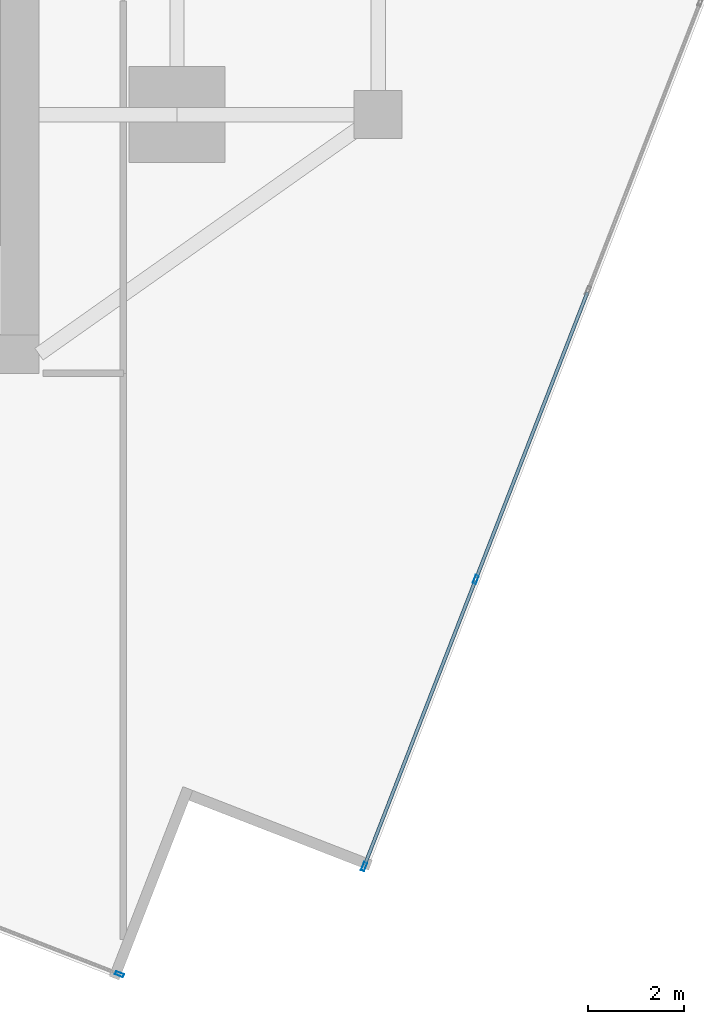
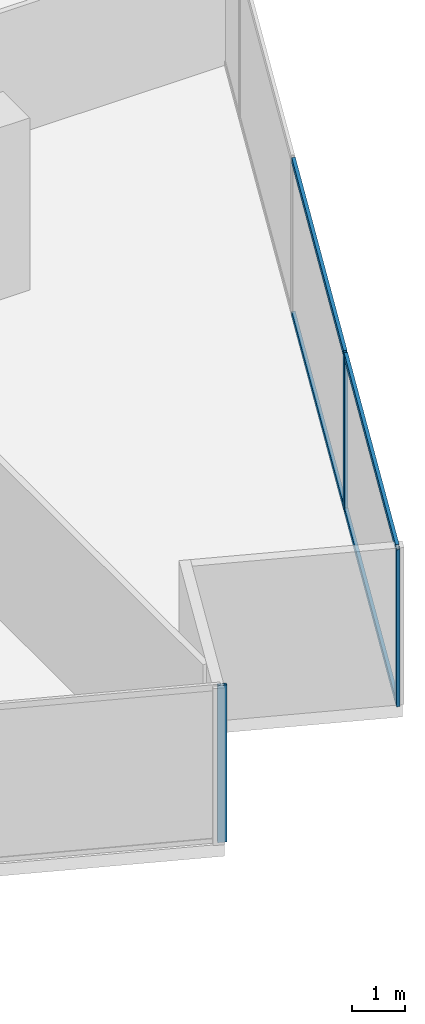
# One storey, part 9 of 26: 7 members, 2 elements without a shape of their own.
"""IFC4 building model written with IfcOpenShell, lengths in metres."""

from ifc_helpers import new_model, si_unit, direction, frame, origin, origin_2d, place, context, subcontext, project, spatial, hollow_rectangle, extrude, source, transform, mapped, material, material_profile, profile_set, type_object, type_shapes, element, aggregate, save


model = new_model("IFC4")

# Units and contexts
model_context = context("Model", 3, precision=1e-05, world=origin(), true_north=direction((0.0, 1.0)))
body_context = subcontext(model_context, "Body", "Model", "MODEL_VIEW")
ifc_project = project(units=[si_unit("LENGTHUNIT", "METRE"), si_unit("AREAUNIT", "SQUARE_METRE"), si_unit("VOLUMEUNIT", "CUBIC_METRE"), si_unit("PLANEANGLEUNIT", "RADIAN"), si_unit("MASSUNIT", "GRAM", prefix="KILO")], contexts=[model_context])

# Site, building, storey
site_placement = place(None, origin())
site = spatial("IfcSite", under=ifc_project, at=site_placement, CompositionType="ELEMENT")
building_placement = place(site_placement, origin())
building = spatial("IfcBuilding", under=site, at=building_placement, Name="Krantzveldt Concourse Tower", CompositionType="ELEMENT")
storey_placement = place(building_placement, frame((0.0, 0.0, 137.449951171875)))
storey = spatial("IfcBuildingStorey", under=building, at=storey_placement, Name="L33", CompositionType="ELEMENT", Elevation=137.449951171875)

# Curtain wall, members
ifc_material = material(Name="Anodised aluminium 6063-T6", Category="aluminium")
curtain_wall_type = type_object("IfcCurtainWallType", Name="CW2", PredefinedType="USERDEFINED", material=ifc_material)
curtain_wall_1_placement = place(storey_placement, origin())
curtain_wall_1 = element("IfcCurtainWall", 1, at=curtain_wall_1_placement, inside=storey, type_object=curtain_wall_type, Name="CW-L33-F11", ObjectType="UNITISED CURTAIN WALL", PredefinedType="USERDEFINED")
ifc_material_profile_1 = material_profile(ifc_material, hollow_rectangle(XDim=0.070068359375, YDim=0.139892578125, WallThickness=0.0048828125, at=origin_2d()), Name="Anodised aluminium 6063-T6", Category="aluminium")
ifc_profile_set_1 = profile_set([ifc_material_profile_1], Name="Anodised aluminium 6063-T6 - ALU-TRAN 140x70x5")
member_type_1 = type_object("IfcMemberType", Name="CW-TRN-150", PredefinedType="USERDEFINED", material=ifc_profile_set_1)
shared_shape_1 = source(origin(), body_context, "Body", "SweptSolid", [
    extrude(hollow_rectangle(XDim=0.070068359375, YDim=0.139892578125, WallThickness=0.0048828125, at=origin_2d()), origin(), (0.0, 0.0, 1.0), 6.396484375),
])
member_1_placement = place(storey_placement, frame((53.05029296875, 6.230224609375, 0.03515625), z_axis=(0.36243705186, 0.932008252882, 0.0), x_axis=(-0.932008252882, 0.36243705186, 0.0)))
member_1 = element("IfcMember", 2, at=member_1_placement, type_object=member_type_1, Name="CW-Z12 transom 2.1", ObjectType="TRANSOM", PredefinedType="USERDEFINED", context=body_context, shape_type="MappedRepresentation", body=[
    mapped(shared_shape_1, transform((0.0, 0.0, 0.0), x_axis=(1.0, 0.0, 0.0), y_axis=(0.0, 1.0, 0.0), z_axis=(0.0, 0.0, 1.0), scale=1.0)),
])
member_2_placement = place(storey_placement, frame((53.05029296875, 6.230224609375, 3.56494140625), z_axis=(0.36243705186, 0.932008252882, 0.0), x_axis=(-0.932008252882, 0.36243705186, 0.0)))
member_2 = element("IfcMember", 3, at=member_2_placement, type_object=member_type_1, Name="CW-Z12 transom 2.2", ObjectType="TRANSOM", PredefinedType="USERDEFINED", context=body_context, shape_type="MappedRepresentation", body=[
    mapped(shared_shape_1, transform((0.0, 0.0, 0.0), x_axis=(1.0, 0.0, 0.0), y_axis=(0.0, 1.0, 0.0), z_axis=(0.0, 0.0, 1.0), scale=1.0)),
])
shared_shape_2 = source(origin(), body_context, "Body", "SweptSolid", [
    extrude(hollow_rectangle(XDim=0.070068359375, YDim=0.139892578125, WallThickness=0.0048828125, at=origin_2d()), origin(), (0.0, 0.0, 1.0), 6.36181640625),
])
type_shapes(member_type_1, [shared_shape_1, shared_shape_2])
member_3_placement = place(storey_placement, frame((50.71923828125, 0.23583984375, 0.03515625), z_axis=(0.362427741589, 0.932011873383, 0.0), x_axis=(-0.932011873383, 0.362427741589, 0.0)))
member_3 = element("IfcMember", 4, at=member_3_placement, type_object=member_type_1, Name="CW-Z12 transom 1.1", ObjectType="TRANSOM", PredefinedType="USERDEFINED", context=body_context, shape_type="MappedRepresentation", body=[
    mapped(shared_shape_2, transform((0.0, 0.0, 0.0), x_axis=(1.0, 0.0, 0.0), y_axis=(0.0, 1.0, 0.0), z_axis=(0.0, 0.0, 1.0), scale=1.0)),
])
member_4_placement = place(storey_placement, frame((50.71923828125, 0.23583984375, 3.56494140625), z_axis=(0.362427741589, 0.932011873383, 0.0), x_axis=(-0.932011873383, 0.362427741589, 0.0)))
member_4 = element("IfcMember", 5, at=member_4_placement, type_object=member_type_1, Name="CW-Z12 transom 1.2", ObjectType="TRANSOM", PredefinedType="USERDEFINED", context=body_context, shape_type="MappedRepresentation", body=[
    mapped(shared_shape_2, transform((0.0, 0.0, 0.0), x_axis=(1.0, 0.0, 0.0), y_axis=(0.0, 1.0, 0.0), z_axis=(0.0, 0.0, 1.0), scale=1.0)),
])

# Curtain wall, member
curtain_wall_2_placement = place(storey_placement, origin())
curtain_wall_2 = element("IfcCurtainWall", 6, at=curtain_wall_2_placement, inside=storey, type_object=curtain_wall_type, Name="CW-L33-F08", ObjectType="UNITISED CURTAIN WALL", PredefinedType="USERDEFINED")
ifc_material_profile_2 = material_profile(ifc_material, hollow_rectangle(XDim=0.070068359375, YDim=0.179931640625, WallThickness=0.0048828125, at=origin_2d()), Name="Anodised aluminium 6063-T6", Category="aluminium")
ifc_profile_set_2 = profile_set([ifc_material_profile_2], Name="Anodised aluminium 6063-T6 - ALU-MULL 180x70x5")
member_type_2 = type_object("IfcMemberType", Name="CW-MUL-180", PredefinedType="MULLION", material=ifc_profile_set_2)
shared_shape_3 = source(origin(), body_context, "Body", "SweptSolid", [
    extrude(hollow_rectangle(XDim=0.070068359375, YDim=0.179931640625, WallThickness=0.0048828125, at=origin_2d()), origin(), (0.0, 0.0, 1.0), 3.60009765625),
])
type_shapes(member_type_2, [shared_shape_3])
member_5_placement = place(storey_placement, frame((45.599853515625, -2.043701171875, 0.0), z_axis=(0.0, 0.0, 1.0), x_axis=(0.362437908899, 0.932007919598, 0.0)))
member_5 = element("IfcMember", 7, at=member_5_placement, type_object=member_type_2, Name="CW-Z12 mullion 3", PredefinedType="MULLION", context=body_context, shape_type="MappedRepresentation", body=[
    mapped(shared_shape_3, transform((0.0, 0.0, 0.0), x_axis=(1.0, 0.0, 0.0), y_axis=(0.0, 1.0, 0.0), z_axis=(0.0, 0.0, 1.0), scale=1.0)),
])
aggregate(curtain_wall_2, [member_5])

# Member
member_6_placement = place(storey_placement, frame((50.70654296875, 0.203125, 0.0), z_axis=(0.0, 0.0, 1.0), x_axis=(-0.93200790248, 0.362437952917, 0.0)))
member_6 = element("IfcMember", 8, at=member_6_placement, type_object=member_type_2, Name="CW-Z12 mullion 1", PredefinedType="MULLION", context=body_context, shape_type="MappedRepresentation", body=[
    mapped(shared_shape_3, transform((0.0, 0.0, 0.0), x_axis=(1.0, 0.0, 0.0), y_axis=(0.0, 1.0, 0.0), z_axis=(0.0, 0.0, 1.0), scale=1.0)),
])

member_7_placement = place(storey_placement, frame((53.03759765625, 6.197509765625, 0.0), z_axis=(0.0, 0.0, 1.0), x_axis=(-0.93200790248, 0.362437952917, 0.0)))
member_7 = element("IfcMember", 9, at=member_7_placement, type_object=member_type_2, Name="CW-Z12 mullion 2", PredefinedType="MULLION", context=body_context, shape_type="MappedRepresentation", body=[
    mapped(shared_shape_3, transform((0.0, 0.0, 0.0), x_axis=(1.0, 0.0, 0.0), y_axis=(0.0, 1.0, 0.0), z_axis=(0.0, 0.0, 1.0), scale=1.0)),
])

aggregate(curtain_wall_1, [member_6, member_7, member_3, member_4, member_1, member_2])

save(model, "model.ifc")
